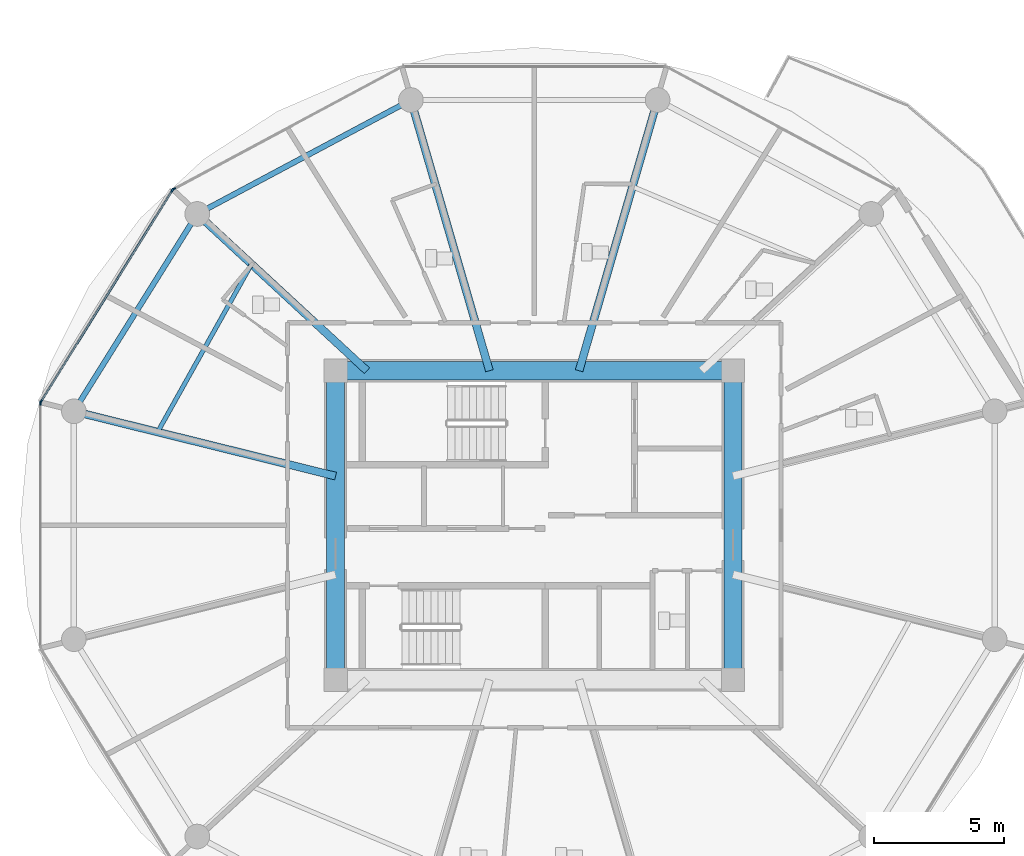
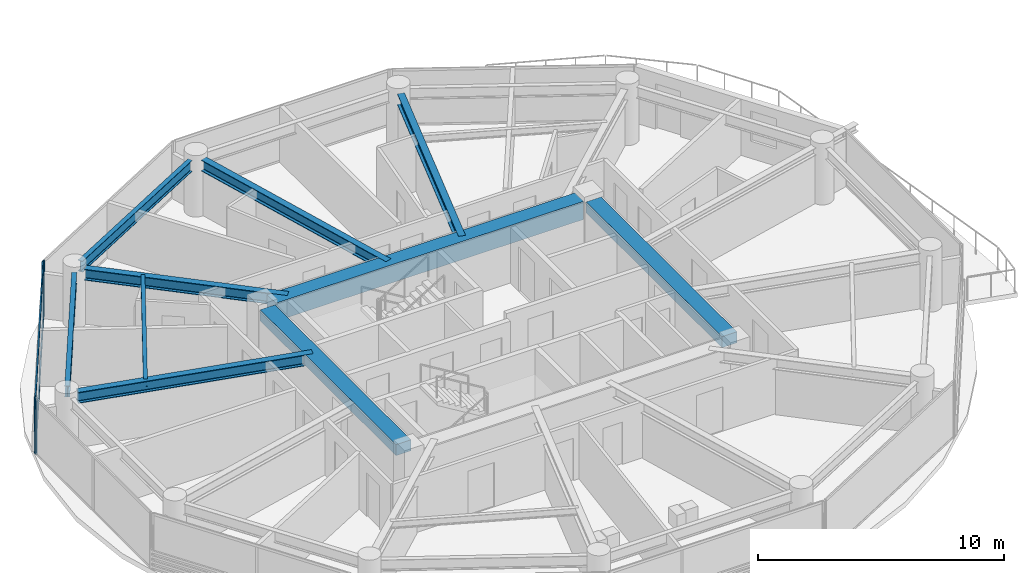
# One storey, part 4 of 26: 10 beams, 6 members, 3 elements without a shape of their own.
"""IFC4 building model written with IfcOpenShell, lengths in metres."""

from ifc_helpers import new_model, si_unit, direction, frame, origin, origin_2d, place, context, subcontext, project, spatial, rectangle, i_section, extrude, source, transform, mapped, material, layer, layer_set, material_profile, profile_set, type_object, type_shapes, element, aggregate, save


model = new_model("IFC4")

# Units and contexts
model_context = context("Model", 3, precision=1e-05, world=origin(), true_north=direction((0.0, 1.0)))
body_context = subcontext(model_context, "Body", "Model", "MODEL_VIEW")
ifc_project = project(units=[si_unit("LENGTHUNIT", "METRE"), si_unit("AREAUNIT", "SQUARE_METRE"), si_unit("VOLUMEUNIT", "CUBIC_METRE"), si_unit("PLANEANGLEUNIT", "RADIAN"), si_unit("MASSUNIT", "GRAM", prefix="KILO")], contexts=[model_context])

# Site, building, storey
site_placement = place(None, origin())
site = spatial("IfcSite", under=ifc_project, at=site_placement, CompositionType="ELEMENT")
building_placement = place(site_placement, origin())
building = spatial("IfcBuilding", under=site, at=building_placement, Name="Norrkilde Senior Care Towers", CompositionType="ELEMENT")
storey_placement = place(building_placement, frame((0.0, 0.0, 67.35009765625)))
storey = spatial("IfcBuildingStorey", under=building, at=storey_placement, Name="L20", CompositionType="ELEMENT", Elevation=67.35009765625)

# Beams
ifc_material_1 = material(Name="Concrete C60/75", Category="concrete")
ifc_material_profile_1 = material_profile(ifc_material_1, rectangle(XDim=0.699951171875, YDim=0.89990234375, at=origin_2d()), Name="RC BM 700x900")
ifc_profile_set_1 = profile_set([ifc_material_profile_1], Name="Concrete C60/75")
beam_type_1 = type_object("IfcBeamType", Name="Core Coupling Girder 700x900", PredefinedType="USERDEFINED", material=ifc_profile_set_1)
shared_shape_1 = source(origin(), body_context, "Body", "SweptSolid", [
    extrude(rectangle(XDim=0.699951171875, YDim=0.89990234375, at=origin_2d()), origin(), (0.0, 0.0, 1.0), 14.43994140625),
])
type_shapes(beam_type_1, [shared_shape_1])
beam_1_placement = place(storey_placement, frame((-35.219970703125, 5.949951171875, 2.33984375), z_axis=(1.0, 0.0, 0.0), x_axis=(0.0, 1.0, 0.0)))
element("IfcBeam", 1, at=beam_1_placement, inside=storey, type_object=beam_type_1, Name="L20 Core W N Coupling Girder", ObjectType="GIRDER", PredefinedType="USERDEFINED", context=body_context, shape_type="MappedRepresentation", body=[
    mapped(shared_shape_1, transform((0.0, 0.0, 0.0), x_axis=(1.0, 0.0, 0.0), y_axis=(0.0, 1.0, 0.0), z_axis=(0.0, 0.0, 1.0), scale=1.0)),
])
ifc_material_profile_2 = material_profile(ifc_material_1, rectangle(XDim=0.699951171875, YDim=0.550048828125, at=origin_2d()), Name="RC BM 700x550")
ifc_profile_set_2 = profile_set([ifc_material_profile_2], Name="Concrete C60/75")
beam_type_2 = type_object("IfcBeamType", Name="Core Portal Coupling Beam 700x550", PredefinedType="USERDEFINED", material=ifc_profile_set_2)
shared_shape_2 = source(origin(), body_context, "Body", "SweptSolid", [
    extrude(rectangle(XDim=0.699951171875, YDim=0.550048828125, at=origin_2d()), origin(), (0.0, 0.0, 1.0), 11.0400390625),
])
type_shapes(beam_type_2, [shared_shape_2])
for number, where, z_axis, x_axis, name in (
    (2, (-35.64990234375, -5.52001953125, 2.514892578125), (0.0, 1.0, 0.0), (-1.0, 0.0, 0.0), "L20 Core W W Coupling Girder"),
    (3, (-20.35009765625, -5.52001953125, 2.514892578125), (0.0, 1.0, 0.0), (-1.0, 0.0, 0.0), "L20 Core W E Coupling Girder"),
):
    element("IfcBeam", number, at=place(storey_placement, frame(where, z_axis=z_axis, x_axis=x_axis)), inside=storey, type_object=beam_type_2, Name=name, ObjectType="GIRDER", PredefinedType="USERDEFINED", context=body_context, shape_type="MappedRepresentation", body=[
        mapped(shared_shape_2, transform((0.0, 0.0, 0.0), x_axis=(1.0, 0.0, 0.0), y_axis=(0.0, 1.0, 0.0), z_axis=(0.0, 0.0, 1.0), scale=1.0)),
    ])
ifc_material_2 = material(Name="Steel S355", Category="steel")
ifc_material_profile_3 = material_profile(ifc_material_2, i_section(OverallWidth=0.2099609375, OverallDepth=0.550048828125, WebThickness=0.010986328125, FlangeThickness=0.01708984375, FilletRadius=0.02392578125, at=origin_2d()), Name="IPE 550")
ifc_profile_set_3 = profile_set([ifc_material_profile_3], Name="Steel S355")
beam_type_3 = type_object("IfcBeamType", Name="Perimeter Ring Spandrel Z1 IPE550", PredefinedType="SPANDREL", material=ifc_profile_set_3)
shared_shape_3 = source(origin(), body_context, "Body", "SweptSolid", [
    extrude(i_section(OverallWidth=0.2099609375, OverallDepth=0.550048828125, WebThickness=0.010986328125, FlangeThickness=0.01708984375, FilletRadius=0.02392578125, at=origin_2d()), origin(), (0.0, 0.0, 1.0), 8.090576171875),
])
beam_2_placement = place(storey_placement, frame((-41.2060546875, 11.61669921875, 2.514892578125), z_axis=(-0.530004364821, -0.84799491347, 0.0), x_axis=(0.84799491347, -0.530004364821, 0.0)))
element("IfcBeam", 4, at=beam_2_placement, inside=storey, type_object=beam_type_3, Name="L20 Drum W Perimeter Spandrel 05", PredefinedType="SPANDREL", context=body_context, shape_type="MappedRepresentation", body=[
    mapped(shared_shape_3, transform((0.0, 0.0, 0.0), x_axis=(1.0, 0.0, 0.0), y_axis=(0.0, 1.0, 0.0), z_axis=(0.0, 0.0, 1.0), scale=1.0)),
])
ifc_material_profile_4 = material_profile(ifc_material_2, i_section(OverallWidth=0.300048828125, OverallDepth=0.550048828125, WebThickness=0.014892578125, FlangeThickness=0.029052734375, FilletRadius=0.027099609375, at=origin_2d()), Name="HEB 550")
ifc_profile_set_4 = profile_set([ifc_material_profile_4], Name="Steel S355")
beam_type_4 = type_object("IfcBeamType", Name="Radial Floor Beam Z1 HEB550", PredefinedType="BEAM", material=ifc_profile_set_4)
shared_shape_4 = source(origin(), body_context, "Body", "SweptSolid", [
    extrude(i_section(OverallWidth=0.300048828125, OverallDepth=0.550048828125, WebThickness=0.014892578125, FlangeThickness=0.029052734375, FilletRadius=0.027099609375, at=origin_2d()), origin(), (0.0, 0.0, 1.0), 9.94384765625),
])
beam_3_placement = place(storey_placement, frame((-35.64990234375, 1.893310546875, 2.514892578125), z_axis=(-0.970707425182, 0.240264634718, 0.0), x_axis=(-0.240264634718, -0.970707425182, 0.0)))
element("IfcBeam", 5, at=beam_3_placement, inside=storey, type_object=beam_type_4, Name="L20 Drum W Radial Floor Beam 06", PredefinedType="BEAM", context=body_context, shape_type="MappedRepresentation", body=[
    mapped(shared_shape_4, transform((0.0, 0.0, 0.0), x_axis=(1.0, 0.0, 0.0), y_axis=(0.0, 1.0, 0.0), z_axis=(0.0, 0.0, 1.0), scale=1.0)),
])
shared_shape_5 = source(origin(), body_context, "Body", "SweptSolid", [
    extrude(i_section(OverallWidth=0.2099609375, OverallDepth=0.550048828125, WebThickness=0.010986328125, FlangeThickness=0.01708984375, FilletRadius=0.02392578125, at=origin_2d()), origin(), (0.0, 0.0, 1.0), 8.452880859375),
])
type_shapes(beam_type_3, [shared_shape_3, shared_shape_5])
beam_4_placement = place(storey_placement, frame((-33.133056640625, 16.167724609375, 2.514892578125), z_axis=(-0.882368931134, -0.470558252898, 0.0), x_axis=(0.470558252898, -0.882368931134, 0.0)))
element("IfcBeam", 6, at=beam_4_placement, inside=storey, type_object=beam_type_3, Name="L20 Drum W Perimeter Spandrel 04", PredefinedType="SPANDREL", context=body_context, shape_type="MappedRepresentation", body=[
    mapped(shared_shape_5, transform((0.0, 0.0, 0.0), x_axis=(1.0, 0.0, 0.0), y_axis=(0.0, 1.0, 0.0), z_axis=(0.0, 0.0, 1.0), scale=1.0)),
])
shared_shape_6 = source(origin(), body_context, "Body", "SweptSolid", [
    extrude(i_section(OverallWidth=0.300048828125, OverallDepth=0.550048828125, WebThickness=0.014892578125, FlangeThickness=0.029052734375, FilletRadius=0.027099609375, at=origin_2d()), origin(), (0.0, 0.0, 1.0), 8.459716796875),
])
beam_5_placement = place(storey_placement, frame((-34.44140625, 5.949951171875, 2.514892578125), z_axis=(-0.734573269108, 0.678529374686, 0.0), x_axis=(-0.678529374686, -0.734573269108, 0.0)))
element("IfcBeam", 7, at=beam_5_placement, inside=storey, type_object=beam_type_4, Name="L20 Drum W Radial Floor Beam 05", PredefinedType="BEAM", context=body_context, shape_type="MappedRepresentation", body=[
    mapped(shared_shape_6, transform((0.0, 0.0, 0.0), x_axis=(1.0, 0.0, 0.0), y_axis=(0.0, 1.0, 0.0), z_axis=(0.0, 0.0, 1.0), scale=1.0)),
])
shared_shape_7 = source(origin(), body_context, "Body", "SweptSolid", [
    extrude(i_section(OverallWidth=0.300048828125, OverallDepth=0.550048828125, WebThickness=0.014892578125, FlangeThickness=0.029052734375, FilletRadius=0.027099609375, at=origin_2d()), origin(), (0.0, 0.0, 1.0), 10.4169921875),
])
type_shapes(beam_type_4, [shared_shape_4, shared_shape_6, shared_shape_7])
for number, where, z_axis, x_axis, name in (
    (8, (-26.27392578125, 5.949951171875, 2.514892578125), (0.278591250785, 0.960409764104, 0.0), (-0.960409764104, 0.278591250785, 0.0), "L20 Drum W Radial Floor Beam 03"),
    (9, (-29.72607421875, 5.949951171875, 2.514892578125), (-0.278591250785, 0.960409764104, 0.0), (-0.960409764104, -0.278591250785, 0.0), "L20 Drum W Radial Floor Beam 04"),
):
    element("IfcBeam", number, at=place(storey_placement, frame(where, z_axis=z_axis, x_axis=x_axis)), inside=storey, type_object=beam_type_4, Name=name, PredefinedType="BEAM", context=body_context, shape_type="MappedRepresentation", body=[
        mapped(shared_shape_7, transform((0.0, 0.0, 0.0), x_axis=(1.0, 0.0, 0.0), y_axis=(0.0, 1.0, 0.0), z_axis=(0.0, 0.0, 1.0), scale=1.0)),
    ])
ifc_material_profile_5 = material_profile(ifc_material_2, i_section(OverallWidth=0.169921875, OverallDepth=0.360107421875, WebThickness=0.008056640625, FlangeThickness=0.0126953125, FilletRadius=0.01806640625, at=origin_2d()), Name="IPE 360")
ifc_profile_set_5 = profile_set([ifc_material_profile_5], Name="Steel S355")
beam_type_5 = type_object("IfcBeamType", Name="Secondary Floor Joist IPE360", PredefinedType="JOIST", material=ifc_profile_set_5)
shared_shape_8 = source(origin(), body_context, "Body", "SweptSolid", [
    extrude(i_section(OverallWidth=0.169921875, OverallDepth=0.360107421875, WebThickness=0.008056640625, FlangeThickness=0.0126953125, FilletRadius=0.01806640625, at=origin_2d()), origin(), (0.0, 0.0, 1.0), 7.40771484375),
])
type_shapes(beam_type_5, [shared_shape_8])
beam_6_placement = place(storey_placement, frame((-38.884521484375, 10.05419921875, 2.60986328125), z_axis=(-0.488167754092, -0.872749817453, 0.0), x_axis=(0.872749817453, -0.488167754092, 0.0)))
element("IfcBeam", 10, at=beam_6_placement, inside=storey, type_object=beam_type_5, Name="L20 Drum W Secondary Floor Joist 2", PredefinedType="JOIST", context=body_context, shape_type="MappedRepresentation", body=[
    mapped(shared_shape_8, transform((0.0, 0.0, 0.0), x_axis=(1.0, 0.0, 0.0), y_axis=(0.0, 1.0, 0.0), z_axis=(0.0, 0.0, 1.0), scale=1.0)),
])

# Curtain wall, member
ifc_material_3 = material(Name="Triple Low-E Insulated Glazing", Category="glass")
ifc_layer = layer(ifc_material_3, 0.199951171875)
ifc_layer_set = layer_set([ifc_layer], Name="Triple Low-E Insulated Glazing")
curtain_wall_type = type_object("IfcCurtainWallType", Name="CW2 Zone 1 Memory Care Curtain Wall", PredefinedType="NOTDEFINED", material=ifc_layer_set)
curtain_wall_1_placement = place(storey_placement, origin())
curtain_wall_1 = element("IfcCurtainWall", 11, at=curtain_wall_1_placement, inside=storey, type_object=curtain_wall_type, Name="L20 Drum W Curtain Wall 03", PredefinedType="NOTDEFINED")
ifc_material_4 = material(Name="Anodised Aluminium", Category="aluminium")
ifc_material_profile_6 = material_profile(ifc_material_4, rectangle(XDim=0.06494140625, YDim=0.159912109375, at=origin_2d()), Name="ALU MULL 65x160")
ifc_profile_set_6 = profile_set([ifc_material_profile_6], Name="Anodised Aluminium")
member_type_1 = type_object("IfcMemberType", Name="Curtain Wall Mullion Z1-Z2 65x160", PredefinedType="MULLION", material=ifc_profile_set_6)
shared_shape_9 = source(origin(), body_context, "Body", "SweptSolid", [
    extrude(rectangle(XDim=0.06494140625, YDim=0.159912109375, at=origin_2d()), origin(), (0.0, 0.0, 1.0), 2.789794921875),
])
type_shapes(member_type_1, [shared_shape_9])
member_1_placement = place(storey_placement, frame((-41.88720703125, 12.941162109375, 0.0), z_axis=(0.0, 0.0, 1.0), x_axis=(-0.472607802456, 0.881272866403, 0.0)))
member_1 = element("IfcMember", 12, at=member_1_placement, type_object=member_type_1, Name="CW-2 mullion 1", PredefinedType="MULLION", context=body_context, shape_type="MappedRepresentation", body=[
    mapped(shared_shape_9, transform((0.0, 0.0, 0.0), x_axis=(1.0, 0.0, 0.0), y_axis=(0.0, 1.0, 0.0), z_axis=(0.0, 0.0, 1.0), scale=1.0)),
])
aggregate(curtain_wall_1, [member_1])

# Curtain wall, members
curtain_wall_2_placement = place(storey_placement, origin())
curtain_wall_2 = element("IfcCurtainWall", 13, at=curtain_wall_2_placement, inside=storey, type_object=curtain_wall_type, Name="L20 Drum W Curtain Wall 04", PredefinedType="NOTDEFINED")
member_2_placement = place(storey_placement, frame((-46.9921875, 4.7587890625, 0.0), z_axis=(0.0, 0.0, 1.0), x_axis=(-0.849305943117, 0.527900951871, 0.0)))
member_2 = element("IfcMember", 14, at=member_2_placement, type_object=member_type_1, Name="CW-2 mullion 1", PredefinedType="MULLION", context=body_context, shape_type="MappedRepresentation", body=[
    mapped(shared_shape_9, transform((0.0, 0.0, 0.0), x_axis=(1.0, 0.0, 0.0), y_axis=(0.0, 1.0, 0.0), z_axis=(0.0, 0.0, 1.0), scale=1.0)),
])
member_3_placement = place(storey_placement, frame((-41.93310546875, 12.898193359375, 0.0), z_axis=(0.0, 0.0, 1.0), x_axis=(-0.849305943117, 0.527900951871, 0.0)))
member_3 = element("IfcMember", 15, at=member_3_placement, type_object=member_type_1, Name="CW-2 mullion 2", PredefinedType="MULLION", context=body_context, shape_type="MappedRepresentation", body=[
    mapped(shared_shape_9, transform((0.0, 0.0, 0.0), x_axis=(1.0, 0.0, 0.0), y_axis=(0.0, 1.0, 0.0), z_axis=(0.0, 0.0, 1.0), scale=1.0)),
])

# Curtain wall, member
curtain_wall_3_placement = place(storey_placement, origin())
curtain_wall_3 = element("IfcCurtainWall", 16, at=curtain_wall_3_placement, inside=storey, type_object=curtain_wall_type, Name="L20 Drum W Curtain Wall 05", PredefinedType="NOTDEFINED")
member_4_placement = place(storey_placement, frame((-47.009521484375, 4.69873046875, 0.0), z_axis=(0.0, 0.0, 1.0), x_axis=(-1.0, 0.0, 0.0)))
member_4 = element("IfcMember", 17, at=member_4_placement, type_object=member_type_1, Name="CW-2 mullion 2", PredefinedType="MULLION", context=body_context, shape_type="MappedRepresentation", body=[
    mapped(shared_shape_9, transform((0.0, 0.0, 0.0), x_axis=(1.0, 0.0, 0.0), y_axis=(0.0, 1.0, 0.0), z_axis=(0.0, 0.0, 1.0), scale=1.0)),
])
aggregate(curtain_wall_3, [member_4])

# Member
ifc_material_profile_7 = material_profile(ifc_material_4, rectangle(XDim=0.06005859375, YDim=0.1201171875, at=origin_2d()), Name="ALU TRAN 60x120")
ifc_profile_set_7 = profile_set([ifc_material_profile_7], Name="Anodised Aluminium")
member_type_2 = type_object("IfcMemberType", Name="Curtain Wall Transom Typical 60x120", PredefinedType="USERDEFINED", material=ifc_profile_set_7)
shared_shape_10 = source(origin(), body_context, "Body", "SweptSolid", [
    extrude(rectangle(XDim=0.06005859375, YDim=0.1201171875, at=origin_2d()), origin(), (0.0, 0.0, 1.0), 9.5185546875),
])
type_shapes(member_type_2, [shared_shape_10])
member_5_placement = place(storey_placement, frame((-46.97509765625, 4.786376953125, 0.02978515625), z_axis=(0.527901620669, 0.849305527413, 0.0), x_axis=(-0.849305527413, 0.527901620669, 0.0)))
member_5 = element("IfcMember", 18, at=member_5_placement, type_object=member_type_2, Name="CW-2 transom 1.1", ObjectType="TRANSOM", PredefinedType="USERDEFINED", context=body_context, shape_type="MappedRepresentation", body=[
    mapped(shared_shape_10, transform((0.0, 0.0, 0.0), x_axis=(1.0, 0.0, 0.0), y_axis=(0.0, 1.0, 0.0), z_axis=(0.0, 0.0, 1.0), scale=1.0)),
])

member_6_placement = place(storey_placement, frame((-46.97509765625, 4.786376953125, 2.760009765625), z_axis=(0.527901620669, 0.849305527413, 0.0), x_axis=(-0.849305527413, 0.527901620669, 0.0)))
member_6 = element("IfcMember", 19, at=member_6_placement, type_object=member_type_2, Name="CW-2 transom 1.2", ObjectType="TRANSOM", PredefinedType="USERDEFINED", context=body_context, shape_type="MappedRepresentation", body=[
    mapped(shared_shape_10, transform((0.0, 0.0, 0.0), x_axis=(1.0, 0.0, 0.0), y_axis=(0.0, 1.0, 0.0), z_axis=(0.0, 0.0, 1.0), scale=1.0)),
])

aggregate(curtain_wall_2, [member_2, member_3, member_5, member_6])

save(model, "model.ifc")
